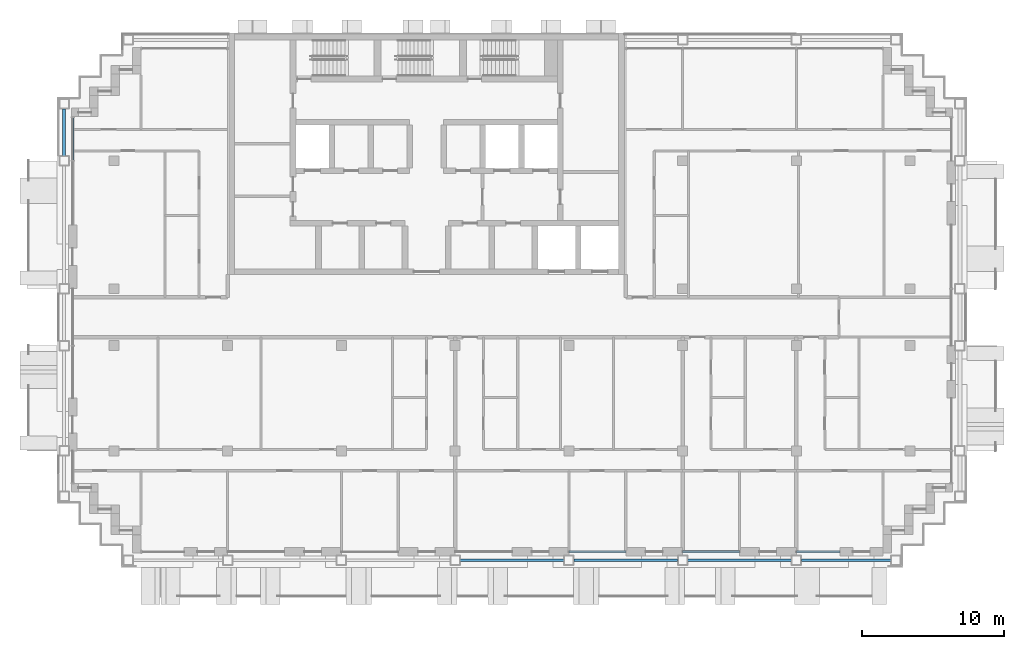
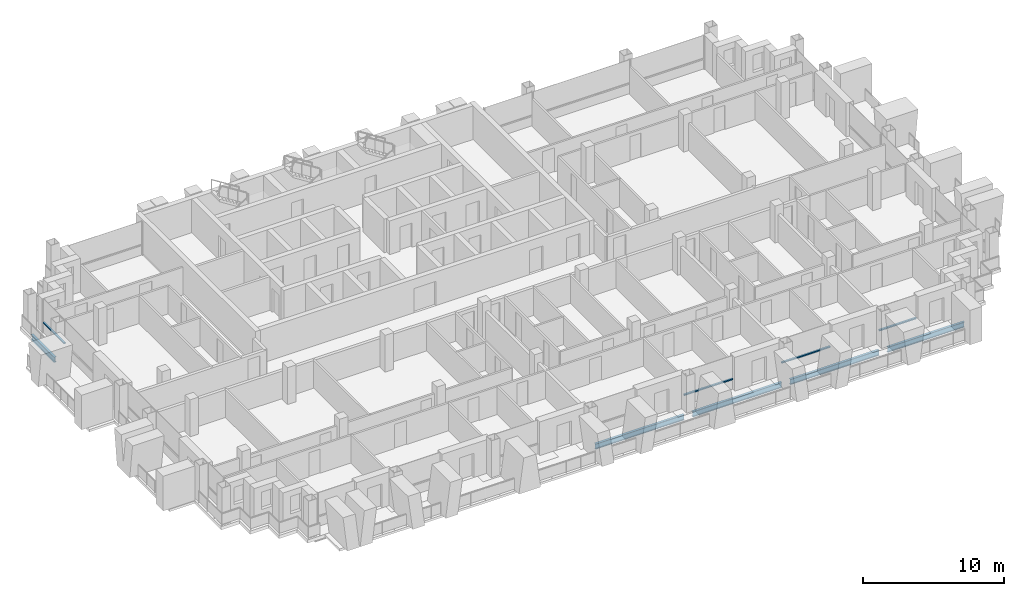
# One storey, part 3 of 16: 5 beams, 4 members, 4 elements without a shape of their own.
"""IFC4 building model written with IfcOpenShell, lengths in metres."""

from ifc_helpers import new_model, si_unit, direction, frame, origin, origin_2d, place, context, subcontext, project, spatial, rectangle, i_section, extrude, material, material_profile, profile_set, type_object, element, aggregate, save


model = new_model("IFC4")

# Units and contexts
model_context = context("Model", 3, precision=1e-05, world=origin(), true_north=direction((0.0, 1.0)))
body_context = subcontext(model_context, "Body", "Model", "MODEL_VIEW")
ifc_project = project(units=[si_unit("LENGTHUNIT", "METRE"), si_unit("AREAUNIT", "SQUARE_METRE"), si_unit("VOLUMEUNIT", "CUBIC_METRE"), si_unit("PLANEANGLEUNIT", "RADIAN"), si_unit("MASSUNIT", "GRAM", prefix="KILO")], contexts=[model_context])

# Site, building, storey
site_placement = place(None, origin())
site = spatial("IfcSite", under=ifc_project, at=site_placement, CompositionType="ELEMENT")
building_placement = place(site_placement, origin())
building = spatial("IfcBuilding", under=site, at=building_placement, Name="Vidyagriha Tower", CompositionType="ELEMENT")
storey_placement = place(building_placement, frame((0.0, 0.0, 178.10009765625)))
storey = spatial("IfcBuildingStorey", under=building, at=storey_placement, Name="L46", CompositionType="ELEMENT", Elevation=178.10009765625)

# Beams
ifc_material_1 = material(Name="Steel ASTM A992 Grade 50", Category="steel")
ifc_material_profile_1 = material_profile(ifc_material_1, i_section(OverallWidth=0.19189453125, OverallDepth=0.46240234375, WebThickness=0.010498046875, FlangeThickness=0.017578125, at=origin_2d()), Name="W18X60")
ifc_profile_set_1 = profile_set([ifc_material_profile_1], Name="Steel ASTM A992 Grade 50")
beam_type = type_object("IfcBeamType", Name="Edge beam W18X60", PredefinedType="SPANDREL", material=ifc_profile_set_1)
for number, where, z_axis, x_axis, name in (
    (1, (2.35009765625, -17.10009765625, -0.51123046875), (1.0, 0.0, 0.0), (0.0, 1.0, 0.0), "st-beam-L46-S04"),
    (2, (10.35009765625, -17.10009765625, -0.51123046875), (1.0, 0.0, 0.0), (0.0, 1.0, 0.0), "st-beam-L46-S05"),
    (3, (18.35009765625, -17.10009765625, -0.51123046875), (1.0, 0.0, 0.0), (0.0, 1.0, 0.0), "st-beam-L46-S06"),
):
    element("IfcBeam", number, at=place(storey_placement, frame(where, z_axis=z_axis, x_axis=x_axis)), inside=storey, type_object=beam_type, Name=name, PredefinedType="SPANDREL", context=body_context, shape_type="SweptSolid", body=[
        extrude(i_section(OverallWidth=0.19189453125, OverallDepth=0.46240234375, WebThickness=0.010498046875, FlangeThickness=0.017578125, at=origin_2d()), origin(), (0.0, 0.0, 1.0), 7.2998046875),
    ])
beam_1_placement = place(storey_placement, frame((26.35009765625, -17.10009765625, -0.51123046875), z_axis=(1.0, 0.0, 0.0), x_axis=(0.0, 1.0, 0.0)))
element("IfcBeam", 4, at=beam_1_placement, inside=storey, type_object=beam_type, Name="st-beam-L46-S07", PredefinedType="SPANDREL", context=body_context, shape_type="SweptSolid", body=[
    extrude(i_section(OverallWidth=0.19189453125, OverallDepth=0.46240234375, WebThickness=0.010498046875, FlangeThickness=0.017578125, at=origin_2d()), origin(), (0.0, 0.0, 1.0), 6.2998046875),
])
beam_2_placement = place(storey_placement, frame((-25.5, 11.35009765625, -0.51123046875), z_axis=(0.0, 1.0, 0.0), x_axis=(-1.0, 0.0, 0.0)))
element("IfcBeam", 5, at=beam_2_placement, inside=storey, type_object=beam_type, Name="st-beam-L46-W12", PredefinedType="SPANDREL", context=body_context, shape_type="SweptSolid", body=[
    extrude(i_section(OverallWidth=0.19189453125, OverallDepth=0.46240234375, WebThickness=0.010498046875, FlangeThickness=0.017578125, at=origin_2d()), origin(), (0.0, 0.0, 1.0), 3.2998046875),
])

# Curtain wall, member
ifc_material_2 = material(Name="Aluminium and glass curtain wall", Category="aluminium")
curtain_wall_type = type_object("IfcCurtainWallType", Name="Dwelling skin unitised curtain wall", PredefinedType="USERDEFINED", material=ifc_material_2)
curtain_wall_1_placement = place(storey_placement, origin())
curtain_wall_1 = element("IfcCurtainWall", 6, at=curtain_wall_1_placement, inside=storey, type_object=curtain_wall_type, Name="CW1 dwelling skin", ObjectType="UNITISED", PredefinedType="USERDEFINED")
ifc_material_3 = material(Name="Aluminium black anodised", Category="aluminium")
ifc_material_profile_2 = material_profile(ifc_material_3, rectangle(XDim=0.159912109375, YDim=0.10009765625, at=origin_2d()), Name="Transom 100x160 black aluminium")
ifc_profile_set_2 = profile_set([ifc_material_profile_2], Name="Aluminium black anodised")
member_type = type_object("IfcMemberType", Name="Transom 100x160 black aluminium", PredefinedType="USERDEFINED", material=ifc_profile_set_2)
member_1_placement = place(storey_placement, frame((-24.89990234375, 14.030029296875, 0.89990234375), z_axis=(0.0, -1.0, 0.0), x_axis=(1.0, 0.0, 0.0)))
member_1 = element("IfcMember", 7, at=member_1_placement, type_object=member_type, Name="CW1 transom 1.1", ObjectType="TRANSOM", PredefinedType="USERDEFINED", context=body_context, shape_type="SweptSolid", body=[
    extrude(rectangle(XDim=0.159912109375, YDim=0.10009765625, at=origin_2d()), origin(), (0.0, 0.0, 1.0), 2.9951171875),
])
aggregate(curtain_wall_1, [member_1])

curtain_wall_2_placement = place(storey_placement, origin())
curtain_wall_2 = element("IfcCurtainWall", 8, at=curtain_wall_2_placement, inside=storey, type_object=curtain_wall_type, Name="CW1 dwelling skin", ObjectType="UNITISED", PredefinedType="USERDEFINED")
member_2_placement = place(storey_placement, frame((10.0, -16.5, 0.89990234375), z_axis=(1.0, 0.0, 0.0), x_axis=(0.0, 1.0, 0.0)))
member_2 = element("IfcMember", 9, at=member_2_placement, type_object=member_type, Name="CW1 transom 1.1", ObjectType="TRANSOM", PredefinedType="USERDEFINED", context=body_context, shape_type="SweptSolid", body=[
    extrude(rectangle(XDim=0.159912109375, YDim=0.10009765625, at=origin_2d()), origin(), (0.0, 0.0, 1.0), 4.0),
])
aggregate(curtain_wall_2, [member_2])

curtain_wall_3_placement = place(storey_placement, origin())
curtain_wall_3 = element("IfcCurtainWall", 10, at=curtain_wall_3_placement, inside=storey, type_object=curtain_wall_type, Name="CW1 dwelling skin", ObjectType="UNITISED", PredefinedType="USERDEFINED")
member_3_placement = place(storey_placement, frame((18.0, -16.5, 0.89990234375), z_axis=(1.0, 0.0, 0.0), x_axis=(0.0, 1.0, 0.0)))
member_3 = element("IfcMember", 11, at=member_3_placement, type_object=member_type, Name="CW1 transom 1.1", ObjectType="TRANSOM", PredefinedType="USERDEFINED", context=body_context, shape_type="SweptSolid", body=[
    extrude(rectangle(XDim=0.159912109375, YDim=0.10009765625, at=origin_2d()), origin(), (0.0, 0.0, 1.0), 4.0),
])
aggregate(curtain_wall_3, [member_3])

curtain_wall_4_placement = place(storey_placement, origin())
curtain_wall_4 = element("IfcCurtainWall", 12, at=curtain_wall_4_placement, inside=storey, type_object=curtain_wall_type, Name="CW1 dwelling skin", ObjectType="UNITISED", PredefinedType="USERDEFINED")
member_4_placement = place(storey_placement, frame((26.0, -16.5, 0.89990234375), z_axis=(1.0, 0.0, 0.0), x_axis=(0.0, 1.0, 0.0)))
member_4 = element("IfcMember", 13, at=member_4_placement, type_object=member_type, Name="CW1 transom 1.1", ObjectType="TRANSOM", PredefinedType="USERDEFINED", context=body_context, shape_type="SweptSolid", body=[
    extrude(rectangle(XDim=0.159912109375, YDim=0.10009765625, at=origin_2d()), origin(), (0.0, 0.0, 1.0), 3.050048828125),
])
aggregate(curtain_wall_4, [member_4])

save(model, "model.ifc")
